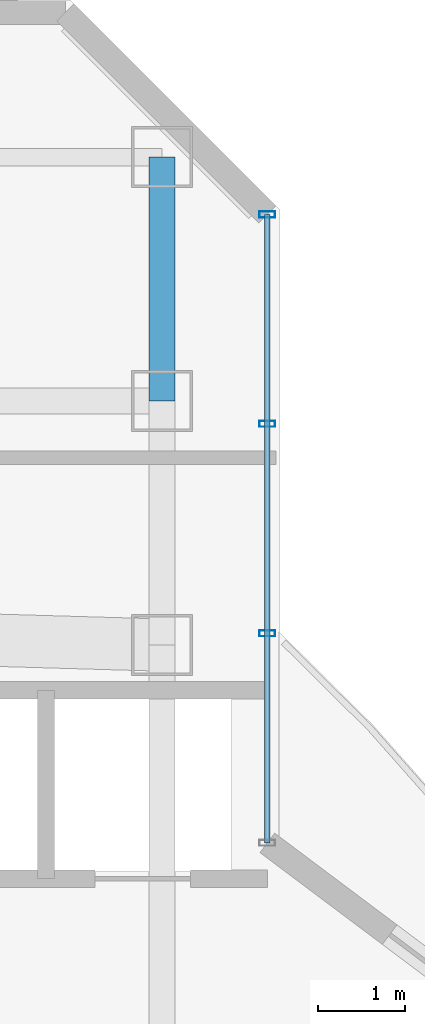
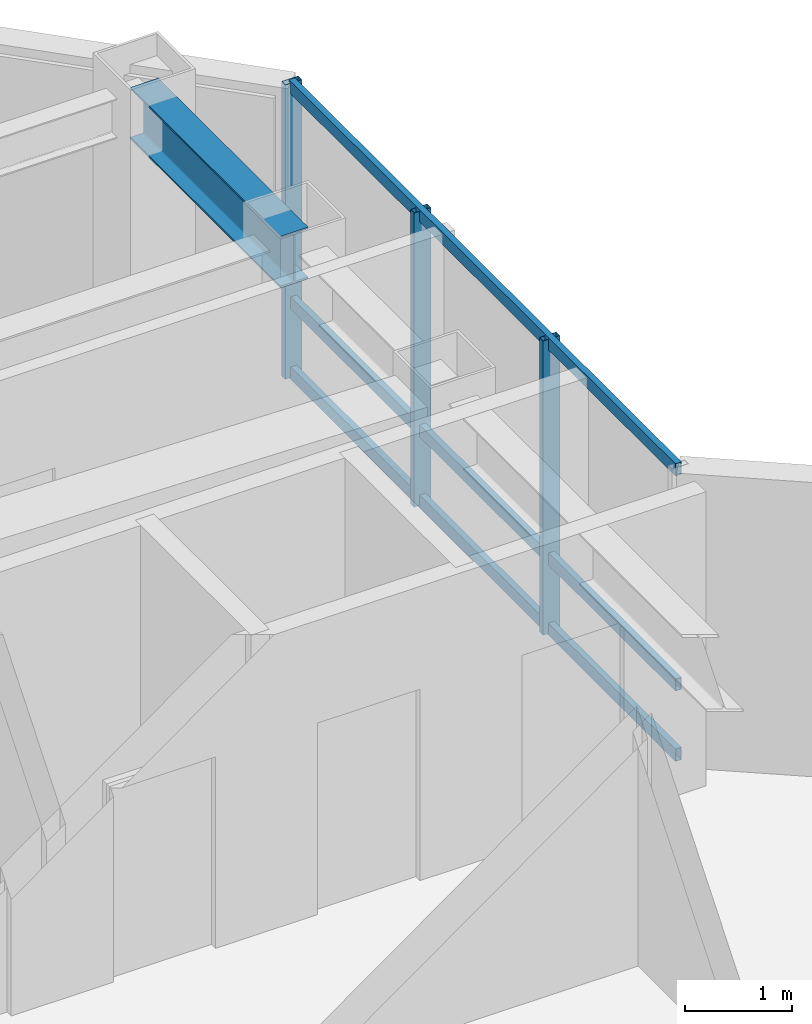
# One storey, part 17 of 25: 6 members, 1 beam, 1 element without a shape of its own.
"""IFC4 building model written with IfcOpenShell, lengths in metres."""

from ifc_helpers import new_model, si_unit, direction, frame, origin, origin_2d, place, context, subcontext, project, spatial, hollow_rectangle, i_section, extrude, material, layer, layer_set, material_profile, profile_set, type_object, element, aggregate, save


model = new_model("IFC4")

# Units and contexts
model_context = context("Model", 3, precision=1e-05, world=origin(), true_north=direction((0.0, 1.0)))
body_context = subcontext(model_context, "Body", "Model", "MODEL_VIEW")
ifc_project = project(units=[si_unit("LENGTHUNIT", "METRE"), si_unit("AREAUNIT", "SQUARE_METRE"), si_unit("VOLUMEUNIT", "CUBIC_METRE"), si_unit("PLANEANGLEUNIT", "RADIAN"), si_unit("MASSUNIT", "GRAM", prefix="KILO")], contexts=[model_context])

# Site, building, storey
site_placement = place(None, origin())
site = spatial("IfcSite", under=ifc_project, at=site_placement, CompositionType="ELEMENT")
building_placement = place(site_placement, origin())
building = spatial("IfcBuilding", under=site, at=building_placement, Name="Hatsunagi Terrace Concourse", CompositionType="ELEMENT")
storey_placement = place(building_placement, frame((0.0, 0.0, 216.75)))
storey = spatial("IfcBuildingStorey", under=building, at=storey_placement, Name="L57", CompositionType="ELEMENT", Elevation=216.75)

# Curtain wall, members
ifc_material_1 = material(Name="Anodised Aluminium Alloy 6063-T5", Category="aluminium")
ifc_layer = layer(ifc_material_1, 0.199951171875)
ifc_layer_set = layer_set([ifc_layer], Name="OfficeZone2_CW04")
curtain_wall_type = type_object("IfcCurtainWallType", Name="OfficeZone2_CW04", PredefinedType="NOTDEFINED", material=ifc_layer_set)
curtain_wall_placement = place(storey_placement, origin())
curtain_wall = element("IfcCurtainWall", 1, at=curtain_wall_placement, inside=storey, type_object=curtain_wall_type, Name="Unitised Curtain Wall CW-04 CW-L57-12", PredefinedType="NOTDEFINED")
ifc_material_2 = material(Name="Anodised Aluminium Alloy 6063-T5", Category="aluminium")
ifc_material_profile_1 = material_profile(ifc_material_2, hollow_rectangle(XDim=0.070068359375, YDim=0.179931640625, WallThickness=0.00390625, at=origin_2d()), Name="ALU-MUL-180x70x4")
ifc_profile_set_1 = profile_set([ifc_material_profile_1], Name="Anodised Aluminium Alloy 6063-T5")
member_type_1 = type_object("IfcMemberType", Name="CurtainWallMullion_180x70", PredefinedType="MULLION", material=ifc_profile_set_1)
member_1_placement = place(storey_placement, frame((44.860107421875, 47.94189453125, 0.0), z_axis=(0.0, 0.0, 1.0), x_axis=(0.0, -1.0, 0.0)))
member_1 = element("IfcMember", 2, at=member_1_placement, type_object=member_type_1, Name="Curtain Wall Mullion MUL-02", PredefinedType="MULLION", context=body_context, shape_type="SweptSolid", body=[
    extrude(hollow_rectangle(XDim=0.070068359375, YDim=0.179931640625, WallThickness=0.00390625, at=origin_2d()), origin(), (0.0, 0.0, 1.0), 3.35009765625),
])
member_2_placement = place(storey_placement, frame((44.860107421875, 45.5380859375, 0.0), z_axis=(0.0, 0.0, 1.0), x_axis=(0.0, -1.0, 0.0)))
member_2 = element("IfcMember", 3, at=member_2_placement, type_object=member_type_1, Name="Curtain Wall Mullion MUL-02", PredefinedType="MULLION", context=body_context, shape_type="SweptSolid", body=[
    extrude(hollow_rectangle(XDim=0.070068359375, YDim=0.179931640625, WallThickness=0.00390625, at=origin_2d()), origin(), (0.0, 0.0, 1.0), 3.35009765625),
])
member_3_placement = place(storey_placement, frame((44.860107421875, 43.134033203125, 0.0), z_axis=(0.0, 0.0, 1.0), x_axis=(0.0, -1.0, 0.0)))
member_3 = element("IfcMember", 4, at=member_3_placement, type_object=member_type_1, Name="Curtain Wall Mullion MUL-02", PredefinedType="MULLION", context=body_context, shape_type="SweptSolid", body=[
    extrude(hollow_rectangle(XDim=0.070068359375, YDim=0.179931640625, WallThickness=0.00390625, at=origin_2d()), origin(), (0.0, 0.0, 1.0), 3.35009765625),
])
ifc_material_3 = material(Name="Anodised Aluminium Alloy 6063-T5", Category="aluminium")
ifc_material_profile_2 = material_profile(ifc_material_3, hollow_rectangle(XDim=0.06494140625, YDim=0.139892578125, WallThickness=0.00390625, at=origin_2d()), Name="ALU-TRN-140x65x4")
ifc_profile_set_2 = profile_set([ifc_material_profile_2], Name="Anodised Aluminium Alloy 6063-T5")
member_type_2 = type_object("IfcMemberType", Name="CurtainWallTransom_140x65", PredefinedType="USERDEFINED", material=ifc_profile_set_2)
member_4_placement = place(storey_placement, frame((44.860107421875, 47.94189453125, 0.050048828125), z_axis=(0.0, -1.0, 0.0), x_axis=(1.0, 0.0, 0.0)))
member_4 = element("IfcMember", 5, at=member_4_placement, type_object=member_type_2, Name="Curtain Wall Transom TRN-02", ObjectType="TRANSOM", PredefinedType="USERDEFINED", context=body_context, shape_type="SweptSolid", body=[
    extrude(hollow_rectangle(XDim=0.06494140625, YDim=0.139892578125, WallThickness=0.00390625, at=origin_2d()), origin(), (0.0, 0.0, 1.0), 7.2119140625),
])
member_5_placement = place(storey_placement, frame((44.860107421875, 47.94189453125, 0.85009765625), z_axis=(0.0, -1.0, 0.0), x_axis=(1.0, 0.0, 0.0)))
member_5 = element("IfcMember", 6, at=member_5_placement, type_object=member_type_2, Name="Curtain Wall Transom TRN-02", ObjectType="TRANSOM", PredefinedType="USERDEFINED", context=body_context, shape_type="SweptSolid", body=[
    extrude(hollow_rectangle(XDim=0.06494140625, YDim=0.139892578125, WallThickness=0.00390625, at=origin_2d()), origin(), (0.0, 0.0, 1.0), 7.2119140625),
])
member_6_placement = place(storey_placement, frame((44.860107421875, 47.94189453125, 3.300048828125), z_axis=(0.0, -1.0, 0.0), x_axis=(1.0, 0.0, 0.0)))
member_6 = element("IfcMember", 7, at=member_6_placement, type_object=member_type_2, Name="Curtain Wall Transom TRN-02", ObjectType="TRANSOM", PredefinedType="USERDEFINED", context=body_context, shape_type="SweptSolid", body=[
    extrude(hollow_rectangle(XDim=0.06494140625, YDim=0.139892578125, WallThickness=0.00390625, at=origin_2d()), origin(), (0.0, 0.0, 1.0), 7.2119140625),
])
aggregate(curtain_wall, [member_1, member_2, member_3, member_4, member_5, member_6])

# Beam
ifc_material_4 = material(Name="Steel SN490B", Category="steel")
ifc_material_profile_3 = material_profile(ifc_material_4, i_section(OverallWidth=0.300048828125, OverallDepth=0.587890625, WebThickness=0.011962890625, FlangeThickness=0.02001953125, FilletRadius=0.01806640625, at=origin_2d()), Name="H-588x300x12x20")
ifc_profile_set_3 = profile_set([ifc_material_profile_3], Name="Steel SN490B")
beam_type = type_object("IfcBeamType", Name="OfficeHighGirder_H_588x300", PredefinedType="BEAM", material=ifc_profile_set_3)
beam_placement = place(storey_placement, frame((43.64990234375, 45.800048828125, 3.055908203125), z_axis=(0.0, 1.0, 0.0), x_axis=(-1.0, 0.0, 0.0)))
element("IfcBeam", 8, at=beam_placement, inside=storey, type_object=beam_type, Name="Beam G-06 BM-L57-KN-WN6", PredefinedType="BEAM", context=body_context, shape_type="SweptSolid", body=[
    extrude(i_section(OverallWidth=0.300048828125, OverallDepth=0.587890625, WebThickness=0.011962890625, FlangeThickness=0.02001953125, FilletRadius=0.01806640625, at=origin_2d()), origin(), (0.0, 0.0, 1.0), 2.800048828125),
])

save(model, "model.ifc")
